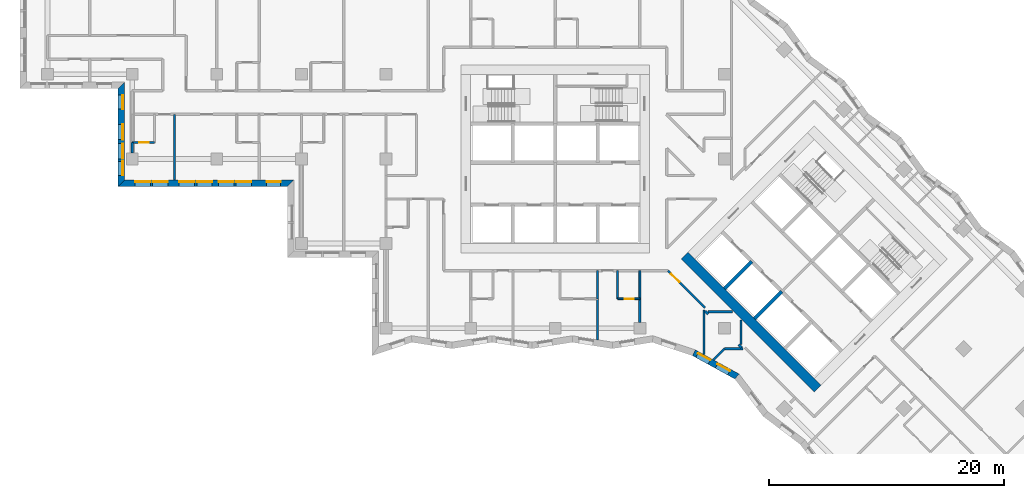
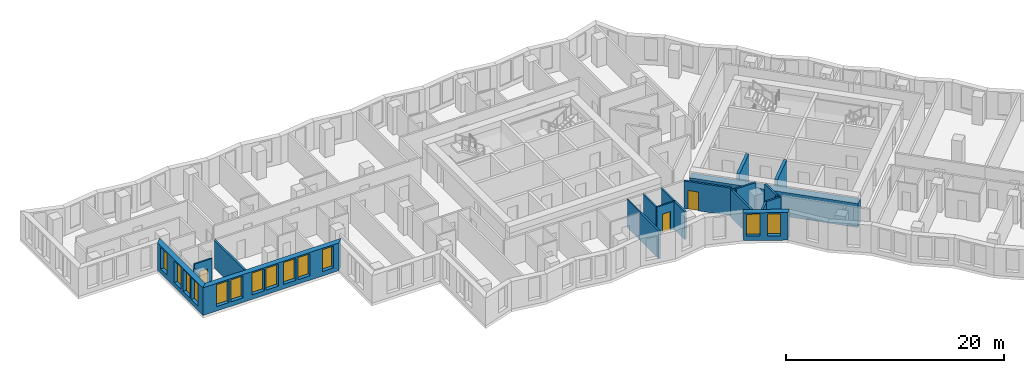
# One storey, part 3 of 13: 23 walls, 13 windows, 3 doors, 16 openings.
"""IFC4 building model written with IfcOpenShell, lengths in metres."""

from ifc_helpers import new_model, si_unit, direction, frame, frame_2d, origin, place, context, subcontext, project, spatial, polyline, rectangle, outline, extrude, material, layer, layer_set, type_object, element, fill, save


model = new_model("IFC4")

# Units and contexts
model_context = context("Model", 3, precision=1e-05, world=origin(), true_north=direction((0.0, 1.0)))
body_context = subcontext(model_context, "Body", "Model", "MODEL_VIEW")
ifc_project = project(units=[si_unit("LENGTHUNIT", "METRE"), si_unit("AREAUNIT", "SQUARE_METRE"), si_unit("VOLUMEUNIT", "CUBIC_METRE"), si_unit("PLANEANGLEUNIT", "RADIAN"), si_unit("MASSUNIT", "GRAM", prefix="KILO")], contexts=[model_context])

# Site, building, storey
site_placement = place(None, origin())
site = spatial("IfcSite", under=ifc_project, at=site_placement, CompositionType="ELEMENT")
building_placement = place(site_placement, origin())
building = spatial("IfcBuilding", under=site, at=building_placement, Name="Windrow Commons", CompositionType="ELEMENT")
storey_placement = place(building_placement, frame((0.0, 0.0, 108.4)))
storey = spatial("IfcBuildingStorey", under=building, at=storey_placement, Name="L29", CompositionType="ELEMENT", Elevation=108.4)

# Wall, openings, windows
ifc_material_1 = material(Name="Brick masonry, red clay brick", Category="masonry")
ifc_layer_1 = layer(ifc_material_1, 0.55)
ifc_layer_set_1 = layer_set([ifc_layer_1], Name="Brick facade wall 550")
wall_type_1 = type_object("IfcWallType", Name="Brick facade wall 550", PredefinedType="SOLIDWALL", material=ifc_layer_set_1)
wall_1_placement = place(storey_placement, frame((27.875, 63.875, 0.0), z_axis=(0.0, 0.0, 1.0), x_axis=(0.0, -1.0, 0.0)))
wall_1 = element("IfcWall", 1, at=wall_1_placement, inside=storey, type_object=wall_type_1, Name="Brick facade wall L29 39", PredefinedType="SOLIDWALL", context=body_context, shape_type="SweptSolid", body=[
    extrude(outline(polyline([(0.275, -0.275), (8.617, -0.275), (8.067, 0.275), (-0.275, 0.275), (0.275, -0.275)])), origin(), (0.0, 0.0, 1.0), 3.1),
])
opening_1_placement = place(wall_1_placement, frame((3.325, 0.0, 0.5)))
opening_1 = element("IfcOpeningElement", 2, at=opening_1_placement, cuts=wall_1, Name="Opening W1P", PredefinedType="OPENING", context=body_context, shape_type="SweptSolid", body=[
    extrude(rectangle(XDim=1.3, YDim=2.45, at=frame_2d((0.65, 1.225))), frame((0.0, 0.285, 0.0), z_axis=(0.0, -1.0, 0.0), x_axis=(1.0, 0.0, 0.0)), (0.0, 0.0, 1.0), 0.57),
])
opening_2_placement = place(wall_1_placement, frame((4.975, 0.0, 0.5)))
opening_2 = element("IfcOpeningElement", 3, at=opening_2_placement, cuts=wall_1, Name="Opening W1P", PredefinedType="OPENING", context=body_context, shape_type="SweptSolid", body=[
    extrude(rectangle(XDim=1.3, YDim=2.45, at=frame_2d((0.65, 1.225))), frame((0.0, 0.285, 0.0), z_axis=(0.0, -1.0, 0.0), x_axis=(1.0, 0.0, 0.0)), (0.0, 0.0, 1.0), 0.57),
])
opening_3_placement = place(wall_1_placement, frame((0.8375, 0.0, 0.5)))
opening_3 = element("IfcOpeningElement", 4, at=opening_3_placement, cuts=wall_1, Name="Opening W7D", PredefinedType="OPENING", context=body_context, shape_type="SweptSolid", body=[
    extrude(rectangle(XDim=1.2, YDim=2.45, at=frame_2d((0.6, 1.225))), frame((0.0, 0.285, 0.0), z_axis=(0.0, -1.0, 0.0), x_axis=(1.0, 0.0, 0.0)), (0.0, 0.0, 1.0), 0.57),
])
opening_4_placement = place(wall_1_placement, frame((6.471, 0.0, 0.5)))
opening_4 = element("IfcOpeningElement", 5, at=opening_4_placement, cuts=wall_1, Name="Opening W7D", PredefinedType="OPENING", context=body_context, shape_type="SweptSolid", body=[
    extrude(rectangle(XDim=1.2, YDim=2.45, at=frame_2d((0.6, 1.225))), frame((0.0, 0.285, 0.0), z_axis=(0.0, -1.0, 0.0), x_axis=(1.0, 0.0, 0.0)), (0.0, 0.0, 1.0), 0.57),
])
ifc_material_2 = material(Name="Clear float glass in anodised aluminium frame", Category="aluminium")
window_type_1 = type_object("IfcWindowType", Name="Window W1P pair 1300x2450", PartitioningType="SINGLE_PANEL", PredefinedType="WINDOW", material=ifc_material_2)
window_1_placement = place(opening_1_placement, origin())
window_1 = element("IfcWindow", 6, at=window_1_placement, inside=storey, type_object=window_type_1, Name="Window L29 39.1A", OverallHeight=2.45, OverallWidth=1.3, PartitioningType="SINGLE_PANEL", PredefinedType="WINDOW", context=body_context, shape_type="SweptSolid", body=[
    extrude(rectangle(XDim=1.3, YDim=2.45, at=frame_2d((0.65, 1.225))), frame((0.0, 0.155, 0.0), z_axis=(0.0, -1.0, 0.0), x_axis=(1.0, 0.0, 0.0)), (0.0, 0.0, 1.0), 0.06),
])
fill(opening_1, window_1)
window_2_placement = place(opening_2_placement, origin())
window_2 = element("IfcWindow", 7, at=window_2_placement, inside=storey, type_object=window_type_1, Name="Window L29 39.1B", OverallHeight=2.45, OverallWidth=1.3, PartitioningType="SINGLE_PANEL", PredefinedType="WINDOW", context=body_context, shape_type="SweptSolid", body=[
    extrude(rectangle(XDim=1.3, YDim=2.45, at=frame_2d((0.65, 1.225))), frame((0.0, 0.155, 0.0), z_axis=(0.0, -1.0, 0.0), x_axis=(1.0, 0.0, 0.0)), (0.0, 0.0, 1.0), 0.06),
])
fill(opening_2, window_2)
ifc_material_3 = material(Name="Clear float glass in anodised aluminium frame", Category="aluminium")
window_type_2 = type_object("IfcWindowType", Name="Window W7 notch 1200x2450", PartitioningType="SINGLE_PANEL", PredefinedType="WINDOW", material=ifc_material_3)
window_3_placement = place(opening_3_placement, origin())
window_3 = element("IfcWindow", 8, at=window_3_placement, inside=storey, type_object=window_type_2, Name="Window L29 39.2", OverallHeight=2.45, OverallWidth=1.2, PartitioningType="SINGLE_PANEL", PredefinedType="WINDOW", context=body_context, shape_type="SweptSolid", body=[
    extrude(rectangle(XDim=1.2, YDim=2.45, at=frame_2d((0.6, 1.225))), frame((0.0, 0.155, 0.0), z_axis=(0.0, -1.0, 0.0), x_axis=(1.0, 0.0, 0.0)), (0.0, 0.0, 1.0), 0.06),
])
fill(opening_3, window_3)
window_4_placement = place(opening_4_placement, origin())
window_4 = element("IfcWindow", 9, at=window_4_placement, inside=storey, type_object=window_type_2, Name="Window L29 39.3", OverallHeight=2.45, OverallWidth=1.2, PartitioningType="SINGLE_PANEL", PredefinedType="WINDOW", context=body_context, shape_type="SweptSolid", body=[
    extrude(rectangle(XDim=1.2, YDim=2.45, at=frame_2d((0.6, 1.225))), frame((0.0, 0.155, 0.0), z_axis=(0.0, -1.0, 0.0), x_axis=(1.0, 0.0, 0.0)), (0.0, 0.0, 1.0), 0.06),
])
fill(opening_4, window_4)

wall_2_placement = place(storey_placement, frame((27.875, 55.533, 0.0), z_axis=(0.0, 0.0, 1.0), x_axis=(1.0, 0.0, 0.0)))
wall_2 = element("IfcWall", 10, at=wall_2_placement, inside=storey, type_object=wall_type_1, Name="Brick facade wall L29 40", PredefinedType="SOLIDWALL", context=body_context, shape_type="SweptSolid", body=[
    extrude(outline(polyline([(-0.275, -0.275), (14.125, -0.275), (14.675, 0.275), (0.275, 0.275), (-0.275, -0.275)])), origin(), (0.0, 0.0, 1.0), 3.1),
])
opening_5_placement = place(wall_2_placement, frame((1.175, 0.0, 0.5)))
opening_5 = element("IfcOpeningElement", 11, at=opening_5_placement, cuts=wall_2, Name="Opening W1P", PredefinedType="OPENING", context=body_context, shape_type="SweptSolid", body=[
    extrude(rectangle(XDim=1.3, YDim=2.45, at=frame_2d((0.65, 1.225))), frame((0.0, 0.285, 0.0), z_axis=(0.0, -1.0, 0.0), x_axis=(1.0, 0.0, 0.0)), (0.0, 0.0, 1.0), 0.57),
])
opening_6_placement = place(wall_2_placement, frame((2.675, 0.0, 0.5)))
opening_6 = element("IfcOpeningElement", 12, at=opening_6_placement, cuts=wall_2, Name="Opening W1P", PredefinedType="OPENING", context=body_context, shape_type="SweptSolid", body=[
    extrude(rectangle(XDim=1.3, YDim=2.45, at=frame_2d((0.65, 1.225))), frame((0.0, 0.285, 0.0), z_axis=(0.0, -1.0, 0.0), x_axis=(1.0, 0.0, 0.0)), (0.0, 0.0, 1.0), 0.57),
])
opening_7_placement = place(wall_2_placement, frame((4.925, 0.0, 0.5)))
opening_7 = element("IfcOpeningElement", 13, at=opening_7_placement, cuts=wall_2, Name="Opening W1P", PredefinedType="OPENING", context=body_context, shape_type="SweptSolid", body=[
    extrude(rectangle(XDim=1.3, YDim=2.45, at=frame_2d((0.65, 1.225))), frame((0.0, 0.285, 0.0), z_axis=(0.0, -1.0, 0.0), x_axis=(1.0, 0.0, 0.0)), (0.0, 0.0, 1.0), 0.57),
])
opening_8_placement = place(wall_2_placement, frame((6.425, 0.0, 0.5)))
opening_8 = element("IfcOpeningElement", 14, at=opening_8_placement, cuts=wall_2, Name="Opening W1P", PredefinedType="OPENING", context=body_context, shape_type="SweptSolid", body=[
    extrude(rectangle(XDim=1.3, YDim=2.45, at=frame_2d((0.65, 1.225))), frame((0.0, 0.285, 0.0), z_axis=(0.0, -1.0, 0.0), x_axis=(1.0, 0.0, 0.0)), (0.0, 0.0, 1.0), 0.57),
])
opening_9_placement = place(wall_2_placement, frame((8.275, 0.0, 0.5)))
opening_9 = element("IfcOpeningElement", 15, at=opening_9_placement, cuts=wall_2, Name="Opening W1P", PredefinedType="OPENING", context=body_context, shape_type="SweptSolid", body=[
    extrude(rectangle(XDim=1.3, YDim=2.45, at=frame_2d((0.65, 1.225))), frame((0.0, 0.285, 0.0), z_axis=(0.0, -1.0, 0.0), x_axis=(1.0, 0.0, 0.0)), (0.0, 0.0, 1.0), 0.57),
])
opening_10_placement = place(wall_2_placement, frame((9.775, 0.0, 0.5)))
opening_10 = element("IfcOpeningElement", 16, at=opening_10_placement, cuts=wall_2, Name="Opening W1P", PredefinedType="OPENING", context=body_context, shape_type="SweptSolid", body=[
    extrude(rectangle(XDim=1.3, YDim=2.45, at=frame_2d((0.65, 1.225))), frame((0.0, 0.285, 0.0), z_axis=(0.0, -1.0, 0.0), x_axis=(1.0, 0.0, 0.0)), (0.0, 0.0, 1.0), 0.57),
])
opening_11_placement = place(wall_2_placement, frame((12.3625, 0.0, 0.5)))
opening_11 = element("IfcOpeningElement", 17, at=opening_11_placement, cuts=wall_2, Name="Opening W7D", PredefinedType="OPENING", context=body_context, shape_type="SweptSolid", body=[
    extrude(rectangle(XDim=1.2, YDim=2.45, at=frame_2d((0.6, 1.225))), frame((0.0, 0.285, 0.0), z_axis=(0.0, -1.0, 0.0), x_axis=(1.0, 0.0, 0.0)), (0.0, 0.0, 1.0), 0.57),
])
window_5_placement = place(opening_5_placement, origin())
window_5 = element("IfcWindow", 18, at=window_5_placement, inside=storey, type_object=window_type_1, Name="Window L29 40.1A", OverallHeight=2.45, OverallWidth=1.3, PartitioningType="SINGLE_PANEL", PredefinedType="WINDOW", context=body_context, shape_type="SweptSolid", body=[
    extrude(rectangle(XDim=1.3, YDim=2.45, at=frame_2d((0.65, 1.225))), frame((0.0, 0.155, 0.0), z_axis=(0.0, -1.0, 0.0), x_axis=(1.0, 0.0, 0.0)), (0.0, 0.0, 1.0), 0.06),
])
fill(opening_5, window_5)
window_6_placement = place(opening_6_placement, origin())
window_6 = element("IfcWindow", 19, at=window_6_placement, inside=storey, type_object=window_type_1, Name="Window L29 40.1B", OverallHeight=2.45, OverallWidth=1.3, PartitioningType="SINGLE_PANEL", PredefinedType="WINDOW", context=body_context, shape_type="SweptSolid", body=[
    extrude(rectangle(XDim=1.3, YDim=2.45, at=frame_2d((0.65, 1.225))), frame((0.0, 0.155, 0.0), z_axis=(0.0, -1.0, 0.0), x_axis=(1.0, 0.0, 0.0)), (0.0, 0.0, 1.0), 0.06),
])
fill(opening_6, window_6)
window_7_placement = place(opening_7_placement, origin())
window_7 = element("IfcWindow", 20, at=window_7_placement, inside=storey, type_object=window_type_1, Name="Window L29 40.2A", OverallHeight=2.45, OverallWidth=1.3, PartitioningType="SINGLE_PANEL", PredefinedType="WINDOW", context=body_context, shape_type="SweptSolid", body=[
    extrude(rectangle(XDim=1.3, YDim=2.45, at=frame_2d((0.65, 1.225))), frame((0.0, 0.155, 0.0), z_axis=(0.0, -1.0, 0.0), x_axis=(1.0, 0.0, 0.0)), (0.0, 0.0, 1.0), 0.06),
])
fill(opening_7, window_7)
window_8_placement = place(opening_8_placement, origin())
window_8 = element("IfcWindow", 21, at=window_8_placement, inside=storey, type_object=window_type_1, Name="Window L29 40.2B", OverallHeight=2.45, OverallWidth=1.3, PartitioningType="SINGLE_PANEL", PredefinedType="WINDOW", context=body_context, shape_type="SweptSolid", body=[
    extrude(rectangle(XDim=1.3, YDim=2.45, at=frame_2d((0.65, 1.225))), frame((0.0, 0.155, 0.0), z_axis=(0.0, -1.0, 0.0), x_axis=(1.0, 0.0, 0.0)), (0.0, 0.0, 1.0), 0.06),
])
fill(opening_8, window_8)
window_9_placement = place(opening_9_placement, origin())
window_9 = element("IfcWindow", 22, at=window_9_placement, inside=storey, type_object=window_type_1, Name="Window L29 40.3A", OverallHeight=2.45, OverallWidth=1.3, PartitioningType="SINGLE_PANEL", PredefinedType="WINDOW", context=body_context, shape_type="SweptSolid", body=[
    extrude(rectangle(XDim=1.3, YDim=2.45, at=frame_2d((0.65, 1.225))), frame((0.0, 0.155, 0.0), z_axis=(0.0, -1.0, 0.0), x_axis=(1.0, 0.0, 0.0)), (0.0, 0.0, 1.0), 0.06),
])
fill(opening_9, window_9)
window_10_placement = place(opening_10_placement, origin())
window_10 = element("IfcWindow", 23, at=window_10_placement, inside=storey, type_object=window_type_1, Name="Window L29 40.3B", OverallHeight=2.45, OverallWidth=1.3, PartitioningType="SINGLE_PANEL", PredefinedType="WINDOW", context=body_context, shape_type="SweptSolid", body=[
    extrude(rectangle(XDim=1.3, YDim=2.45, at=frame_2d((0.65, 1.225))), frame((0.0, 0.155, 0.0), z_axis=(0.0, -1.0, 0.0), x_axis=(1.0, 0.0, 0.0)), (0.0, 0.0, 1.0), 0.06),
])
fill(opening_10, window_10)
window_11_placement = place(opening_11_placement, origin())
window_11 = element("IfcWindow", 24, at=window_11_placement, inside=storey, type_object=window_type_2, Name="Window L29 40.4", OverallHeight=2.45, OverallWidth=1.2, PartitioningType="SINGLE_PANEL", PredefinedType="WINDOW", context=body_context, shape_type="SweptSolid", body=[
    extrude(rectangle(XDim=1.2, YDim=2.45, at=frame_2d((0.6, 1.225))), frame((0.0, 0.155, 0.0), z_axis=(0.0, -1.0, 0.0), x_axis=(1.0, 0.0, 0.0)), (0.0, 0.0, 1.0), 0.06),
])
fill(opening_11, window_11)

wall_3_placement = place(storey_placement, frame((76.5937, 41.1109, 0.0), z_axis=(0.0, 0.0, 1.0), x_axis=(0.8760886881, -0.4821499877, 0.0)))
wall_3 = element("IfcWall", 25, at=wall_3_placement, inside=storey, type_object=wall_type_1, Name="Brick facade wall L29 52", PredefinedType="SOLIDWALL", context=body_context, shape_type="SweptSolid", body=[
    extrude(outline(polyline([(0.0248, -0.275), (4.1246, -0.275), (4.2416, 0.275), (-0.0248, 0.275), (0.0248, -0.275)])), origin(), (0.0, 0.0, 1.0), 3.1),
])
opening_12_placement = place(wall_3_placement, frame((0.3335, 0.0, 0.5)))
opening_12 = element("IfcOpeningElement", 26, at=opening_12_placement, cuts=wall_3, Name="Opening W7D", PredefinedType="OPENING", context=body_context, shape_type="SweptSolid", body=[
    extrude(rectangle(XDim=1.2, YDim=2.45, at=frame_2d((0.6, 1.225))), frame((0.0, 0.285, 0.0), z_axis=(0.0, -1.0, 0.0), x_axis=(1.0, 0.0, 0.0)), (0.0, 0.0, 1.0), 0.57),
])
opening_13_placement = place(wall_3_placement, frame((2.2251, 0.0, 0.5)))
opening_13 = element("IfcOpeningElement", 27, at=opening_13_placement, cuts=wall_3, Name="Opening W7D", PredefinedType="OPENING", context=body_context, shape_type="SweptSolid", body=[
    extrude(rectangle(XDim=1.2, YDim=2.45, at=frame_2d((0.6, 1.225))), frame((0.0, 0.285, 0.0), z_axis=(0.0, -1.0, 0.0), x_axis=(1.0, 0.0, 0.0)), (0.0, 0.0, 1.0), 0.57),
])
window_12_placement = place(opening_12_placement, origin())
window_12 = element("IfcWindow", 28, at=window_12_placement, inside=storey, type_object=window_type_2, Name="Window L29 52.1", OverallHeight=2.45, OverallWidth=1.2, PartitioningType="SINGLE_PANEL", PredefinedType="WINDOW", context=body_context, shape_type="SweptSolid", body=[
    extrude(rectangle(XDim=1.2, YDim=2.45, at=frame_2d((0.6, 1.225))), frame((0.0, 0.155, 0.0), z_axis=(0.0, -1.0, 0.0), x_axis=(1.0, 0.0, 0.0)), (0.0, 0.0, 1.0), 0.06),
])
fill(opening_12, window_12)
window_13_placement = place(opening_13_placement, origin())
window_13 = element("IfcWindow", 29, at=window_13_placement, inside=storey, type_object=window_type_2, Name="Window L29 52.2", OverallHeight=2.45, OverallWidth=1.2, PartitioningType="SINGLE_PANEL", PredefinedType="WINDOW", context=body_context, shape_type="SweptSolid", body=[
    extrude(rectangle(XDim=1.2, YDim=2.45, at=frame_2d((0.6, 1.225))), frame((0.0, 0.155, 0.0), z_axis=(0.0, -1.0, 0.0), x_axis=(1.0, 0.0, 0.0)), (0.0, 0.0, 1.0), 0.06),
])
fill(opening_13, window_13)

# Wall, opening, door
ifc_material_4 = material(Name="Blockwork partition", Category="masonry")
ifc_layer_2 = layer(ifc_material_4, 0.2)
ifc_layer_set_2 = layer_set([ifc_layer_2], Name="IW-CORRIDOR-200")
wall_type_2 = type_object("IfcWallType", Name="IW-CORRIDOR-200", PredefinedType="PARTITIONING", material=ifc_layer_set_2)
wall_4_placement = place(storey_placement, frame((74.3885, 48.0965, 0.0), z_axis=(0.0, 0.0, 1.0), x_axis=(0.7071067812, -0.7071067812, 0.0)))
wall_4 = element("IfcWall", 30, at=wall_4_placement, inside=storey, type_object=wall_type_2, Name="W-L29-W045", PredefinedType="PARTITIONING", context=body_context, shape_type="SweptSolid", body=[
    extrude(rectangle(XDim=4.4519, YDim=0.2, at=frame_2d((2.226, 0.0))), origin(), (0.0, 0.0, 1.0), 3.1),
])
opening_14_placement = place(wall_4_placement, frame((0.3818, 0.0, 0.0)))
opening_14 = element("IfcOpeningElement", 31, at=opening_14_placement, cuts=wall_4, Name="Opening D310F", PredefinedType="OPENING", context=body_context, shape_type="SweptSolid", body=[
    extrude(rectangle(XDim=1.0, YDim=2.1, at=frame_2d((0.5, 1.05))), frame((0.0, 0.11, 0.0), z_axis=(0.0, -1.0, 0.0), x_axis=(1.0, 0.0, 0.0)), (0.0, 0.0, 1.0), 0.22),
])
ifc_material_5 = material(Name="Timber door leaf", Category="wood")
door_type_1 = type_object("IfcDoorType", Name="DT-AMENITY-1000", OperationType="SINGLE_SWING_LEFT", PredefinedType="DOOR", material=ifc_material_5)
door_1_placement = place(opening_14_placement, origin())
door_1 = element("IfcDoor", 32, at=door_1_placement, inside=storey, type_object=door_type_1, Name="D-L29-D034", OperationType="SINGLE_SWING_LEFT", OverallHeight=2.1, OverallWidth=1.0, PredefinedType="DOOR", context=body_context, shape_type="SweptSolid", body=[
    extrude(rectangle(XDim=1.0, YDim=2.1, at=frame_2d((0.5, 1.05))), frame((0.0, 0.025, 0.0), z_axis=(0.0, -1.0, 0.0), x_axis=(1.0, 0.0, 0.0)), (0.0, 0.0, 1.0), 0.05),
])
fill(opening_14, door_1)

# Walls
for number, where, z_axis, x_axis, name in (
    (33, (77.802, 44.6, 0.0), (0.0, 0.0, 1.0), (1.0, 0.0, 0.0), "W-L29-W101"),
    (34, (80.6, 41.802, 0.0), (0.0, 0.0, 1.0), (0.0, 1.0, 0.0), "W-L29-W102"),
):
    element("IfcWall", number, at=place(storey_placement, frame(where, z_axis=z_axis, x_axis=x_axis)), inside=storey, type_object=wall_type_2, Name=name, PredefinedType="PARTITIONING", context=body_context, shape_type="SweptSolid", body=[
        extrude(rectangle(XDim=2.098, YDim=0.2, at=frame_2d((1.049, 0.0))), origin(), (0.0, 0.0, 1.0), 3.1),
    ])
for number, where, z_axis, x_axis, name in (
    (35, (77.5461, 44.6561, 0.0), (0.0, 0.0, 1.0), (0.7071067812, -0.7071067812, 0.0), "W-L29-W155"),
    (36, (80.4051, 41.7971, 0.0), (0.0, 0.0, 1.0), (0.7071067812, -0.7071067812, 0.0), "W-L29-W156"),
):
    element("IfcWall", number, at=place(storey_placement, frame(where, z_axis=z_axis, x_axis=x_axis)), inside=storey, type_object=wall_type_2, Name=name, PredefinedType="PARTITIONING", context=body_context, shape_type="SweptSolid", body=[
        extrude(rectangle(XDim=0.355, YDim=0.2, at=frame_2d((0.1775, 0.0))), origin(), (0.0, 0.0, 1.0), 3.1),
    ])
ifc_material_6 = material(Name="Blockwork partition", Category="masonry")
ifc_layer_3 = layer(ifc_material_6, 0.15)
ifc_layer_set_3 = layer_set([ifc_layer_3], Name="IW-ENSUITE-150")
wall_type_3 = type_object("IfcWallType", Name="IW-ENSUITE-150", PredefinedType="PARTITIONING", material=ifc_layer_set_3)
for number, where, z_axis, x_axis, name in (
    (37, (68.4, 45.7, 0.0), (0.0, 0.0, 1.0), (0.0, 1.0, 0.0), "W-L29-W089"),
    (38, (70.1, 45.7, 0.0), (0.0, 0.0, 1.0), (0.0, 1.0, 0.0), "W-L29-W090"),
    (39, (72.0, 45.7, 0.0), (0.0, 0.0, 1.0), (0.0, 1.0, 0.0), "W-L29-W091"),
):
    element("IfcWall", number, at=place(storey_placement, frame(where, z_axis=z_axis, x_axis=x_axis)), inside=storey, type_object=wall_type_3, Name=name, PredefinedType="PARTITIONING", context=body_context, shape_type="SweptSolid", body=[
        extrude(rectangle(XDim=2.4, YDim=0.15, at=frame_2d((1.2, 0.0))), origin(), (0.0, 0.0, 1.0), 3.1),
    ])

# Wall, opening, door
wall_5_placement = place(storey_placement, frame((70.1, 45.7, 0.0), z_axis=(0.0, 0.0, 1.0), x_axis=(1.0, 0.0, 0.0)))
wall_5 = element("IfcWall", 40, at=wall_5_placement, inside=storey, type_object=wall_type_3, Name="W-L29-W119", PredefinedType="PARTITIONING", context=body_context, shape_type="SweptSolid", body=[
    extrude(rectangle(XDim=1.9, YDim=0.15, at=frame_2d((0.95, 0.0))), origin(), (0.0, 0.0, 1.0), 3.1),
])
opening_15_placement = place(wall_5_placement, frame((0.5979, 0.0, 0.0)))
opening_15 = element("IfcOpeningElement", 41, at=opening_15_placement, cuts=wall_5, Name="Opening D208N", PredefinedType="OPENING", context=body_context, shape_type="SweptSolid", body=[
    extrude(rectangle(XDim=0.8, YDim=2.1, at=frame_2d((0.4, 1.05))), frame((0.0, 0.085, 0.0), z_axis=(0.0, -1.0, 0.0), x_axis=(1.0, 0.0, 0.0)), (0.0, 0.0, 1.0), 0.17),
])
ifc_material_7 = material(Name="Timber door leaf", Category="wood")
door_type_2 = type_object("IfcDoorType", Name="DT-ENSUITE-800", OperationType="SINGLE_SWING_LEFT", PredefinedType="DOOR", material=ifc_material_7)
door_2_placement = place(opening_15_placement, origin())
door_2 = element("IfcDoor", 42, at=door_2_placement, inside=storey, type_object=door_type_2, Name="D-L29-D033", OperationType="SINGLE_SWING_RIGHT", OverallHeight=2.1, OverallWidth=0.8, PredefinedType="DOOR", context=body_context, shape_type="SweptSolid", body=[
    extrude(rectangle(XDim=0.8, YDim=2.1, at=frame_2d((0.4, 1.05))), frame((0.0, 0.025, 0.0), z_axis=(0.0, -1.0, 0.0), x_axis=(1.0, 0.0, 0.0)), (0.0, 0.0, 1.0), 0.05),
])
fill(opening_15, door_2)

wall_6_placement = place(storey_placement, frame((28.8, 59.0, 0.0), z_axis=(0.0, 0.0, 1.0), x_axis=(1.0, 0.0, 0.0)))
wall_6 = element("IfcWall", 43, at=wall_6_placement, inside=storey, type_object=wall_type_3, Name="W-L29-W121", PredefinedType="PARTITIONING", context=body_context, shape_type="SweptSolid", body=[
    extrude(rectangle(XDim=1.9, YDim=0.15, at=frame_2d((0.95, 0.0))), origin(), (0.0, 0.0, 1.0), 3.1),
])
opening_16_placement = place(wall_6_placement, frame((0.6069, 0.0, 0.0)))
opening_16 = element("IfcOpeningElement", 44, at=opening_16_placement, cuts=wall_6, Name="Opening D208N", PredefinedType="OPENING", context=body_context, shape_type="SweptSolid", body=[
    extrude(rectangle(XDim=0.8, YDim=2.1, at=frame_2d((0.4, 1.05))), frame((0.0, 0.085, 0.0), z_axis=(0.0, -1.0, 0.0), x_axis=(1.0, 0.0, 0.0)), (0.0, 0.0, 1.0), 0.17),
])
door_3_placement = place(opening_16_placement, origin())
door_3 = element("IfcDoor", 45, at=door_3_placement, inside=storey, type_object=door_type_2, Name="D-L29-D005", OperationType="SINGLE_SWING_RIGHT", OverallHeight=2.1, OverallWidth=0.8, PredefinedType="DOOR", context=body_context, shape_type="SweptSolid", body=[
    extrude(rectangle(XDim=0.8, YDim=2.1, at=frame_2d((0.4, 1.05))), frame((0.0, 0.025, 0.0), z_axis=(0.0, -1.0, 0.0), x_axis=(1.0, 0.0, 0.0)), (0.0, 0.0, 1.0), 0.05),
])
fill(opening_16, door_3)

# Walls
ifc_material_8 = material(Name="Blockwork partition", Category="masonry")
ifc_layer_4 = layer(ifc_material_8, 0.2)
ifc_layer_set_4 = layer_set([ifc_layer_4], Name="IW-PARTY-200")
wall_type_4 = type_object("IfcWallType", Name="IW-PARTY-200", PredefinedType="PARTITIONING", material=ifc_layer_set_4)
wall_7_placement = place(storey_placement, frame((32.4, 55.808, 0.0), z_axis=(0.0, 0.0, 1.0), x_axis=(0.0, 1.0, 0.0)))
element("IfcWall", 46, at=wall_7_placement, inside=storey, type_object=wall_type_4, Name="W-L29-W034", PredefinedType="PARTITIONING", context=body_context, shape_type="SweptSolid", body=[
    extrude(rectangle(XDim=5.592, YDim=0.2, at=frame_2d((2.796, 0.0))), origin(), (0.0, 0.0, 1.0), 3.1),
])
wall_8_placement = place(storey_placement, frame((77.45, 40.9535, 0.0), z_axis=(0.0, 0.0, 1.0), x_axis=(0.0, 1.0, 0.0)))
element("IfcWall", 47, at=wall_8_placement, inside=storey, type_object=wall_type_4, Name="W-L29-W050", PredefinedType="PARTITIONING", context=body_context, shape_type="SweptSolid", body=[
    extrude(rectangle(XDim=3.8045, YDim=0.2, at=frame_2d((1.9022, 0.0))), origin(), (0.0, 0.0, 1.0), 3.1),
])
wall_9_placement = place(storey_placement, frame((68.4, 42.2155, 0.0), z_axis=(0.0, 0.0, 1.0), x_axis=(0.0, 1.0, 0.0)))
element("IfcWall", 48, at=wall_9_placement, inside=storey, type_object=wall_type_4, Name="W-L29-W054", PredefinedType="PARTITIONING", context=body_context, shape_type="SweptSolid", body=[
    extrude(rectangle(XDim=3.4845, YDim=0.2, at=frame_2d((1.7423, 0.0))), origin(), (0.0, 0.0, 1.0), 3.1),
])
wall_10_placement = place(storey_placement, frame((72.0, 43.7, 0.0), z_axis=(0.0, 0.0, 1.0), x_axis=(0.0, 1.0, 0.0)))
element("IfcWall", 49, at=wall_10_placement, inside=storey, type_object=wall_type_4, Name="W-L29-W110", PredefinedType="PARTITIONING", context=body_context, shape_type="SweptSolid", body=[
    extrude(rectangle(XDim=2.0, YDim=0.2, at=frame_2d((1.0, 0.0))), origin(), (0.0, 0.0, 1.0), 3.1),
])
wall_11_placement = place(storey_placement, frame((79.198, 41.45, 0.0), z_axis=(0.0, 0.0, 1.0), x_axis=(1.0, 0.0, 0.0)))
element("IfcWall", 50, at=wall_11_placement, inside=storey, type_object=wall_type_4, Name="W-L29-W129", PredefinedType="PARTITIONING", context=body_context, shape_type="SweptSolid", body=[
    extrude(rectangle(XDim=1.56, YDim=0.2, at=frame_2d((0.78, 0.0))), origin(), (0.0, 0.0, 1.0), 3.1),
])
wall_12_placement = place(storey_placement, frame((78.2556, 40.5102, 0.0), z_axis=(0.0, 0.0, 1.0), x_axis=(0.7071067812, 0.7071067812, 0.0)))
element("IfcWall", 51, at=wall_12_placement, inside=storey, type_object=wall_type_4, Name="W-L29-W135", PredefinedType="PARTITIONING", context=body_context, shape_type="SweptSolid", body=[
    extrude(rectangle(XDim=1.3295, YDim=0.2, at=frame_2d((0.6647, 0.0))), origin(), (0.0, 0.0, 1.0), 3.1),
])
wall_13_placement = place(storey_placement, frame((28.8, 58.1, 0.0), z_axis=(0.0, 0.0, 1.0), x_axis=(0.0, 1.0, 0.0)))
element("IfcWall", 52, at=wall_13_placement, inside=storey, type_object=wall_type_4, Name="W-L29-W138", PredefinedType="PARTITIONING", context=body_context, shape_type="SweptSolid", body=[
    extrude(rectangle(XDim=0.9, YDim=0.2, at=frame_2d((0.45, 0.0))), origin(), (0.0, 0.0, 1.0), 2.6),
])
ifc_material_9 = material(Name="Concrete C50/60", Category="concrete")
ifc_layer_5 = layer(ifc_material_9, 0.8)
ifc_layer_set_5 = layer_set([ifc_layer_5], Name="RC CORE WALL 800 C50/60")
wall_type_5 = type_object("IfcWallType", Name="RC CORE WALL 800 C50/60", PredefinedType="SHEAR", material=ifc_layer_set_5)
wall_14_placement = place(storey_placement, frame((75.8059, 49.3726, -0.3), z_axis=(0.0, 0.0, 1.0), x_axis=(0.7071067812, -0.7071067812, 0.0)))
element("IfcWall", 53, at=wall_14_placement, inside=storey, type_object=wall_type_5, Name="Core B wall outer-S", PredefinedType="SHEAR", context=body_context, shape_type="SweptSolid", body=[
    extrude(rectangle(XDim=16.0, YDim=0.8, at=frame_2d((8.0, 0.0))), origin(), (0.0, 0.0, 1.0), 2.7),
])
ifc_material_10 = material(Name="Concrete C50/60", Category="concrete")
ifc_layer_6 = layer(ifc_material_10, 0.3)
ifc_layer_set_6 = layer_set([ifc_layer_6], Name="RC SHAFT WALL 300 C50/60")
wall_type_6 = type_object("IfcWallType", Name="RC SHAFT WALL 300 C50/60", PredefinedType="SOLIDWALL", material=ifc_layer_set_6)
wall_15_placement = place(storey_placement, frame((79.2, 46.5442, 0.0), z_axis=(0.0, 0.0, 1.0), x_axis=(0.7071219326, 0.7070916295, 0.0)))
element("IfcWall", 54, at=wall_15_placement, inside=storey, type_object=wall_type_6, Name="Core B wall shaft-S1", PredefinedType="SOLIDWALL", context=body_context, shape_type="SweptSolid", body=[
    extrude(rectangle(XDim=3.3, YDim=0.3, at=frame_2d((1.65, 0.0))), origin(), (0.0, 0.0, 1.0), 3.1),
])
wall_16_placement = place(storey_placement, frame((81.7456, 43.9986, 0.0), z_axis=(0.0, 0.0, 1.0), x_axis=(0.7071067812, 0.7071067812, 0.0)))
element("IfcWall", 55, at=wall_16_placement, inside=storey, type_object=wall_type_6, Name="Core B wall shaft-S2", PredefinedType="SOLIDWALL", context=body_context, shape_type="SweptSolid", body=[
    extrude(rectangle(XDim=3.2999, YDim=0.3, at=frame_2d((1.65, 0.0))), origin(), (0.0, 0.0, 1.0), 3.1),
])

save(model, "model.ifc")
